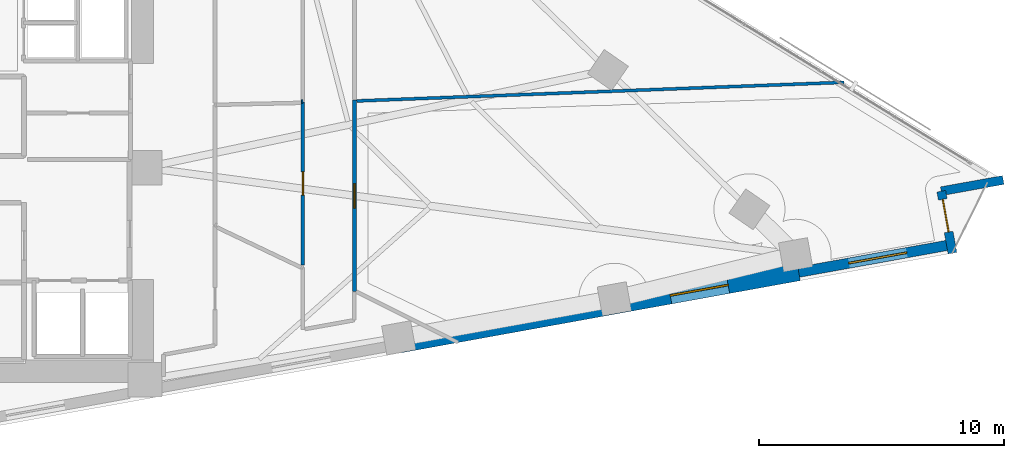
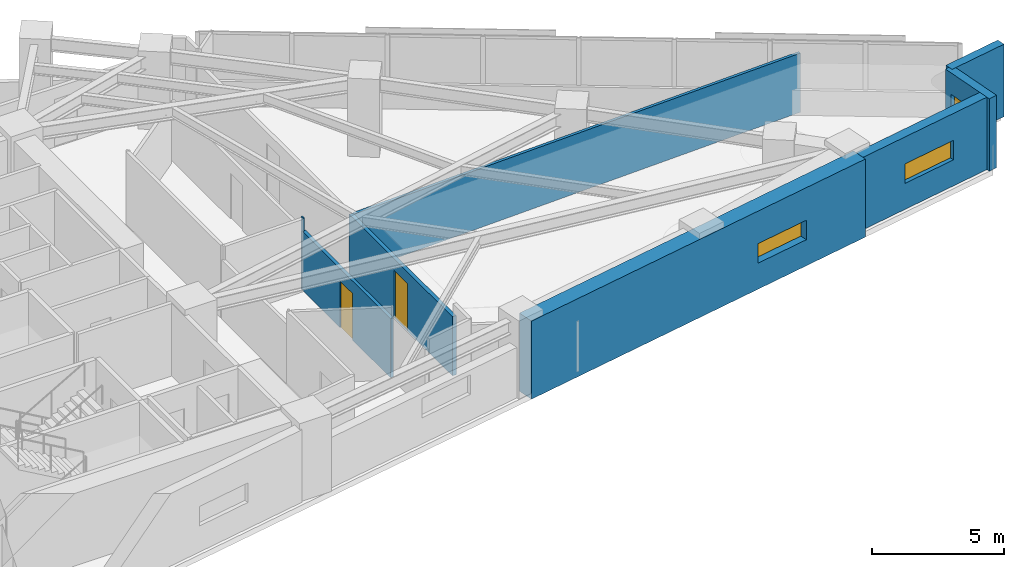
# One storey, part 16 of 19: 8 walls, 3 doors, 2 windows, 5 openings.
"""IFC4 building model written with IfcOpenShell, lengths in metres."""

from ifc_helpers import new_model, si_unit, direction, frame, frame_2d, origin, place, context, subcontext, project, spatial, rectangle, extrude, material, layer, layer_set, type_object, element, fill, save


model = new_model("IFC4")

# Units and contexts
model_context = context("Model", 3, precision=1e-05, world=origin(), true_north=direction((0.0, 1.0)))
body_context = subcontext(model_context, "Body", "Model", "MODEL_VIEW")
ifc_project = project(units=[si_unit("LENGTHUNIT", "METRE"), si_unit("AREAUNIT", "SQUARE_METRE"), si_unit("VOLUMEUNIT", "CUBIC_METRE"), si_unit("PLANEANGLEUNIT", "RADIAN"), si_unit("MASSUNIT", "GRAM", prefix="KILO")], contexts=[model_context])

# Site, building, storey
site_placement = place(None, origin())
site = spatial("IfcSite", under=ifc_project, at=site_placement, CompositionType="ELEMENT")
building_placement = place(site_placement, origin())
building = spatial("IfcBuilding", under=site, at=building_placement, Name="Narakoshi Arena Tower", CompositionType="ELEMENT")
storey_placement = place(building_placement, frame((0.0, 0.0, 113.699951171875)))
storey = spatial("IfcBuildingStorey", under=building, at=storey_placement, Name="L30", CompositionType="ELEMENT", Elevation=113.699951171875)

# Wall, opening, door
ifc_material_1 = material(Name="Gypsum plasterboard fire-rated partition")
ifc_layer_1 = layer(ifc_material_1, 0.1650390625)
ifc_layer_set_1 = layer_set([ifc_layer_1], Name="Gypsum plasterboard fire-rated partition")
wall_type_1 = type_object("IfcWallType", Name="WL-CORR-165", PredefinedType="PARTITIONING", material=ifc_layer_set_1)
wall_1_placement = place(storey_placement, frame((94.0849609375, 38.300537109375, 0.0), z_axis=(0.0, 0.0, 1.0), x_axis=(0.0, 1.0, 0.0)))
wall_1 = element("IfcWall", 1, at=wall_1_placement, inside=storey, type_object=wall_type_1, Name="L30 Corridor Partition 02-1", PredefinedType="PARTITIONING", context=body_context, shape_type="SweptSolid", body=[
    extrude(rectangle(XDim=7.80029296875, YDim=0.1650390625, at=frame_2d((3.900146484375, 0.0))), origin(), (0.0, 0.0, 1.0), 2.72509765625),
])
opening_1_placement = place(wall_1_placement, frame((3.400146484375, 0.0, 0.0)))
opening_1 = element("IfcOpeningElement", 2, at=opening_1_placement, cuts=wall_1, Name="Opening D-06", PredefinedType="OPENING", context=body_context, shape_type="SweptSolid", body=[
    extrude(rectangle(XDim=1.0, YDim=2.199951171875, at=frame_2d((0.5, 1.10009765625))), frame((0.0, 0.092529296875, 0.0), z_axis=(0.0, -1.0, 0.0), x_axis=(1.0, 0.0, 0.0)), (0.0, 0.0, 1.0), 0.18505859375),
])
ifc_material_2 = material(Name="Stained oak solid-core timber", Category="wood")
door_type_1 = type_object("IfcDoorType", Name="DR-OFF-1000", OperationType="NOTDEFINED", PredefinedType="DOOR", material=ifc_material_2)
door_1_placement = place(opening_1_placement, frame((1.0, 0.0, 0.0), z_axis=(0.0, 0.0, 1.0), x_axis=(-1.0, 0.0, 0.0)))
door_1 = element("IfcDoor", 3, at=door_1_placement, inside=storey, type_object=door_type_1, Name="DR-L30-016", OperationType="SINGLE_SWING_LEFT", OverallHeight=2.199951171875, OverallWidth=1.0, PredefinedType="DOOR", context=body_context, shape_type="SweptSolid", body=[
    extrude(rectangle(XDim=1.0, YDim=2.199951171875, at=frame_2d((0.5, 1.10009765625))), frame((0.0, 0.02490234375, 0.0), z_axis=(0.0, -1.0, 0.0), x_axis=(1.0, 0.0, 0.0)), (0.0, 0.0, 1.0), 0.050048828125),
])
fill(opening_1, door_1)

# Wall, opening, window
ifc_material_3 = material(Name="Concrete C60/75", Category="concrete")
ifc_layer_2 = layer(ifc_material_3, 0.699951171875)
ifc_layer_set_2 = layer_set([ifc_layer_2], Name="Concrete C60/75")
wall_type_2 = type_object("IfcWallType", Name="WL-LEG-700", PredefinedType="SHEAR", material=ifc_layer_set_2)
wall_2_placement = place(storey_placement, frame((95.93798828125, 36.14599609375, -0.260009765625), z_axis=(0.0, 0.0, 1.0), x_axis=(0.984038488288, 0.177955762952, 0.0)))
wall_2 = element("IfcWall", 4, at=wall_2_placement, inside=storey, type_object=wall_type_2, Name="L30 Architectural Concrete Structural Wall LEGA-3", PredefinedType="SHEAR", context=body_context, shape_type="SweptSolid", body=[
    extrude(rectangle(XDim=16.524658203125, YDim=0.699951171875, at=frame_2d((8.26220703125, 0.0))), origin(), (0.0, 0.0, 1.0), 3.60009765625),
])
opening_2_placement = place(wall_2_placement, frame((11.199951171875, 0.0, 1.199951171875)))
opening_2 = element("IfcOpeningElement", 5, at=opening_2_placement, cuts=wall_2, Name="Opening WN-01", PredefinedType="OPENING", context=body_context, shape_type="SweptSolid", body=[
    extrude(rectangle(XDim=2.39990234375, YDim=0.89990234375, at=frame_2d((1.199951171875, 0.449951171875))), frame((0.0, 0.35986328125, 0.0), z_axis=(0.0, -1.0, 0.0), x_axis=(1.0, 0.0, 0.0)), (0.0, 0.0, 1.0), 0.719970703125),
])
ifc_material_4 = material(Name="Bronze-tinted low-E laminated glass", Category="glass")
window_type = type_object("IfcWindowType", Name="WIN-SLT-24x09", PartitioningType="SINGLE_PANEL", PredefinedType="WINDOW", material=ifc_material_4)
window_1_placement = place(opening_2_placement, origin())
window_1 = element("IfcWindow", 6, at=window_1_placement, inside=storey, type_object=window_type, Name="L30 LEGA3 Horizontal Slot Window 1", OverallHeight=0.89990234375, OverallWidth=2.39990234375, PartitioningType="SINGLE_PANEL", PredefinedType="WINDOW", context=body_context, shape_type="SweptSolid", body=[
    extrude(rectangle(XDim=2.39990234375, YDim=0.89990234375, at=frame_2d((1.199951171875, 0.449951171875))), frame((0.0, 0.030029296875, 0.0), z_axis=(0.0, -1.0, 0.0), x_axis=(1.0, 0.0, 0.0)), (0.0, 0.0, 1.0), 0.06005859375),
])
fill(opening_2, window_1)

# Wall
ifc_layer_3 = layer(ifc_material_1, 0.125)
ifc_layer_set_3 = layer_set([ifc_layer_3], Name="Gypsum plasterboard fire-rated partition")
wall_type_3 = type_object("IfcWallType", Name="WL-PART-125", PredefinedType="PARTITIONING", material=ifc_layer_set_3)
wall_3_placement = place(storey_placement, frame((94.179443359375, 46.068603515625, 0.0), z_axis=(0.0, 0.0, 1.0), x_axis=(0.999269961217, 0.038203986822, 0.0)))
element("IfcWall", 7, at=wall_3_placement, inside=storey, type_object=wall_type_3, Name="L30 Inter-Room Partition 02-05", PredefinedType="PARTITIONING", context=body_context, shape_type="SweptSolid", body=[
    extrude(rectangle(XDim=19.886962890625, YDim=0.125, at=frame_2d((9.943359375, 0.0))), origin(), (0.0, 0.0, 1.0), 2.72509765625),
])

# Wall, opening, window
ifc_material_5 = material(Name="Precast concrete C45/55", Category="concrete")
ifc_layer_4 = layer(ifc_material_5, 0.419921875)
ifc_layer_set_4 = layer_set([ifc_layer_4], Name="Precast concrete C45/55")
wall_type_4 = type_object("IfcWallType", Name="WL-POD-420", PredefinedType="SOLIDWALL", material=ifc_layer_set_4)
wall_4_placement = place(storey_placement, frame((112.198974609375, 39.086669921875, 0.0), z_axis=(0.0, 0.0, 1.0), x_axis=(0.984042888215, 0.177931431042, 0.0)))
wall_4 = element("IfcWall", 8, at=wall_4_placement, inside=storey, type_object=wall_type_4, Name="L30 Architectural Concrete Facade Wall LEGA-4", PredefinedType="SOLIDWALL", context=body_context, shape_type="SweptSolid", body=[
    extrude(rectangle(XDim=6.30615234375, YDim=0.419921875, at=frame_2d((3.153076171875, 0.0))), origin(), (0.0, 0.0, 1.0), 3.340087890625),
])
opening_3_placement = place(wall_4_placement, frame((2.0751953125, 0.0, 1.199951171875)))
opening_3 = element("IfcOpeningElement", 9, at=opening_3_placement, cuts=wall_4, Name="Opening WN-01", PredefinedType="OPENING", context=body_context, shape_type="SweptSolid", body=[
    extrude(rectangle(XDim=2.39990234375, YDim=0.89990234375, at=frame_2d((1.199951171875, 0.449951171875))), frame((0.0, 0.219970703125, 0.0), z_axis=(0.0, -1.0, 0.0), x_axis=(1.0, 0.0, 0.0)), (0.0, 0.0, 1.0), 0.43994140625),
])
window_2_placement = place(opening_3_placement, origin())
window_2 = element("IfcWindow", 10, at=window_2_placement, inside=storey, type_object=window_type, Name="L30 LEGA4 Horizontal Slot Window 1", OverallHeight=0.89990234375, OverallWidth=2.39990234375, PartitioningType="SINGLE_PANEL", PredefinedType="WINDOW", context=body_context, shape_type="SweptSolid", body=[
    extrude(rectangle(XDim=2.39990234375, YDim=0.89990234375, at=frame_2d((1.199951171875, 0.449951171875))), frame((0.0, 0.030029296875, 0.0), z_axis=(0.0, -1.0, 0.0), x_axis=(1.0, 0.0, 0.0)), (0.0, 0.0, 1.0), 0.06005859375),
])
fill(opening_3, window_2)

# Wall, opening, door
wall_5_placement = place(storey_placement, frame((118.466796875, 39.8642578125, 0.0), z_axis=(0.0, 0.0, 1.0), x_axis=(-0.177897493713, 0.984049024048, 0.0)))
wall_5 = element("IfcWall", 11, at=wall_5_placement, inside=storey, type_object=wall_type_4, Name="L30 Re-Entrant Corner Notch Wall NTE-1", PredefinedType="SOLIDWALL", context=body_context, shape_type="SweptSolid", body=[
    extrude(rectangle(XDim=2.56640625, YDim=0.360107421875, at=frame_2d((1.283203125, 0.0))), origin(), (0.0, 0.0, 1.0), 3.340087890625),
])
opening_4_placement = place(wall_5_placement, frame((0.876220703125, 0.0, 0.0)))
opening_4 = element("IfcOpeningElement", 12, at=opening_4_placement, cuts=wall_5, Name="Opening D-12", PredefinedType="OPENING", context=body_context, shape_type="SweptSolid", body=[
    extrude(rectangle(XDim=1.35009765625, YDim=2.35009765625, at=frame_2d((0.675048828125, 1.175048828125))), frame((0.0, 0.18994140625, 0.0), z_axis=(0.0, -1.0, 0.0), x_axis=(1.0, 0.0, 0.0)), (0.0, 0.0, 1.0), 0.380126953125),
])
ifc_material_6 = material(Name="Anodised bronze aluminium 6063-T6", Category="aluminium")
door_type_2 = type_object("IfcDoorType", Name="DR-LOG-1350", OperationType="DOUBLE_DOOR_SLIDING", PredefinedType="DOOR", material=ifc_material_6)
door_2_placement = place(opening_4_placement, origin())
door_2 = element("IfcDoor", 13, at=door_2_placement, inside=storey, type_object=door_type_2, Name="DR-L30-001", OperationType="DOUBLE_DOOR_SLIDING", OverallHeight=2.35009765625, OverallWidth=1.35009765625, PredefinedType="DOOR", context=body_context, shape_type="SweptSolid", body=[
    extrude(rectangle(XDim=1.35009765625, YDim=2.35009765625, at=frame_2d((0.675048828125, 1.175048828125))), frame((0.0, 0.02490234375, 0.0), z_axis=(0.0, -1.0, 0.0), x_axis=(1.0, 0.0, 0.0)), (0.0, 0.0, 1.0), 0.050048828125),
])
fill(opening_4, door_2)

# Wall
wall_6_placement = place(storey_placement, frame((118.01025390625, 42.3896484375, 0.0), z_axis=(0.0, 0.0, 1.0), x_axis=(0.984046012923, 0.177914149102, 0.0)))
element("IfcWall", 14, at=wall_6_placement, inside=storey, type_object=wall_type_4, Name="L30 Re-Entrant Corner Notch Wall NTE-2", PredefinedType="SOLIDWALL", context=body_context, shape_type="SweptSolid", body=[
    extrude(rectangle(XDim=2.566162109375, YDim=0.360107421875, at=frame_2d((1.283203125, 0.0))), origin(), (0.0, 0.0, 1.0), 3.340087890625),
])

# Wall, opening, door
ifc_material_7 = material(Name="Moisture-resistant cement-board partition")
ifc_layer_5 = layer(ifc_material_7, 0.14501953125)
ifc_layer_set_5 = layer_set([ifc_layer_5], Name="Moisture-resistant cement-board partition")
wall_type_5 = type_object("IfcWallType", Name="WL-WET-145", PredefinedType="PARTITIONING", material=ifc_layer_set_5)
wall_7_placement = place(storey_placement, frame((91.985107421875, 46.0302734375, 0.0), z_axis=(0.0, 0.0, 1.0), x_axis=(0.0, -1.0, 0.0)))
wall_7 = element("IfcWall", 15, at=wall_7_placement, inside=storey, type_object=wall_type_5, Name="L30 Corridor Partition 04-1", PredefinedType="PARTITIONING", context=body_context, shape_type="SweptSolid", body=[
    extrude(rectangle(XDim=6.657958984375, YDim=0.14501953125, at=frame_2d((3.3291015625, 0.0))), origin(), (0.0, 0.0, 1.0), 2.72509765625),
])
opening_5_placement = place(wall_7_placement, frame((2.85400390625, 0.0, 0.0)))
opening_5 = element("IfcOpeningElement", 16, at=opening_5_placement, cuts=wall_7, Name="Opening D-07", PredefinedType="OPENING", context=body_context, shape_type="SweptSolid", body=[
    extrude(rectangle(XDim=0.949951171875, YDim=2.14990234375, at=frame_2d((0.47509765625, 1.074951171875))), frame((0.0, 0.08251953125, 0.0), z_axis=(0.0, -1.0, 0.0), x_axis=(1.0, 0.0, 0.0)), (0.0, 0.0, 1.0), 0.1650390625),
])
door_type_3 = type_object("IfcDoorType", Name="DR-ACC-950", OperationType="NOTDEFINED", PredefinedType="DOOR", material=ifc_material_2)
door_3_placement = place(opening_5_placement, frame((0.949951171875, 0.0, 0.0), z_axis=(0.0, 0.0, 1.0), x_axis=(-1.0, 0.0, 0.0)))
door_3 = element("IfcDoor", 17, at=door_3_placement, inside=storey, type_object=door_type_3, Name="DR-L30-018", OperationType="SINGLE_SWING_RIGHT", OverallHeight=2.14990234375, OverallWidth=0.949951171875, PredefinedType="DOOR", context=body_context, shape_type="SweptSolid", body=[
    extrude(rectangle(XDim=0.949951171875, YDim=2.14990234375, at=frame_2d((0.47509765625, 1.074951171875))), frame((0.0, 0.02490234375, 0.0), z_axis=(0.0, -1.0, 0.0), x_axis=(1.0, 0.0, 0.0)), (0.0, 0.0, 1.0), 0.050048828125),
])
fill(opening_5, door_3)

# Wall
wall_8_placement = place(storey_placement, frame((91.985107421875, 46.05419921875, 0.0), z_axis=(0.0, 0.0, 1.0), x_axis=(-0.999471633277, -0.032503142546, 0.0)))
element("IfcWall", 18, at=wall_8_placement, inside=storey, type_object=wall_type_5, Name="L30 Corridor Partition 06-4", PredefinedType="PARTITIONING", context=body_context, shape_type="SweptSolid", body=[
    extrude(rectangle(XDim=0.06005859375, YDim=0.14501953125, at=frame_2d((0.030029296875, 0.0))), origin(), (0.0, 0.0, 1.0), 3.340087890625),
])

save(model, "model.ifc")
